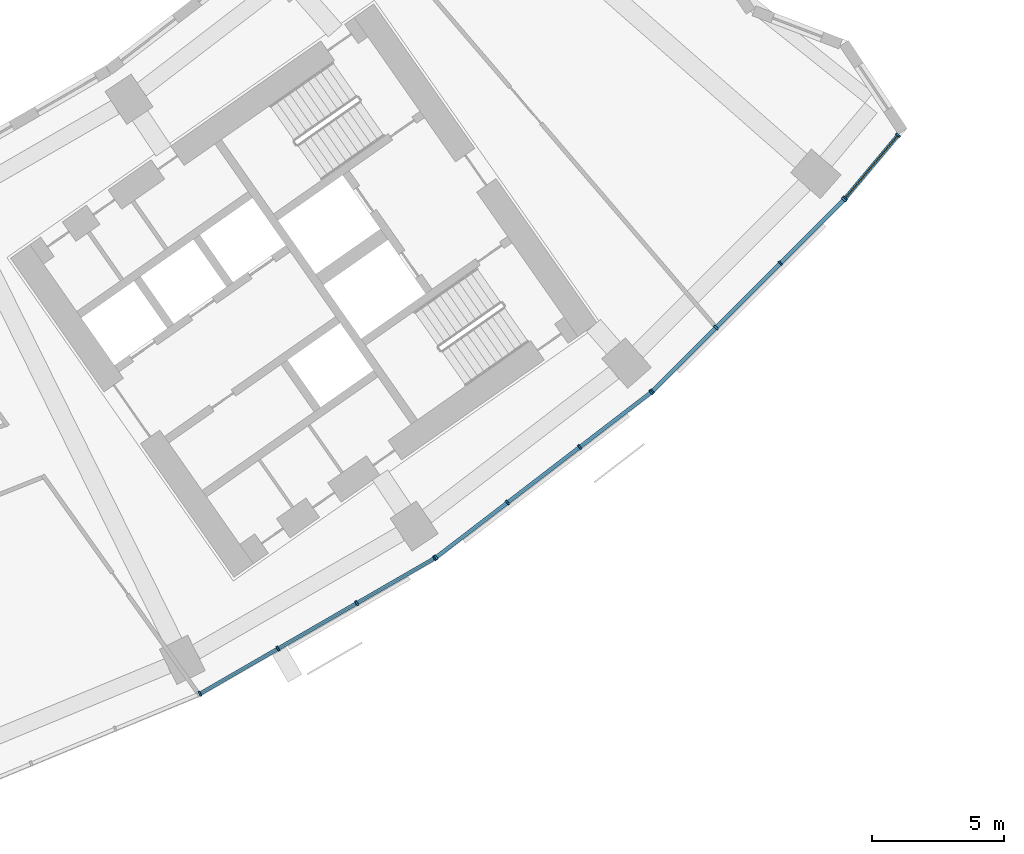
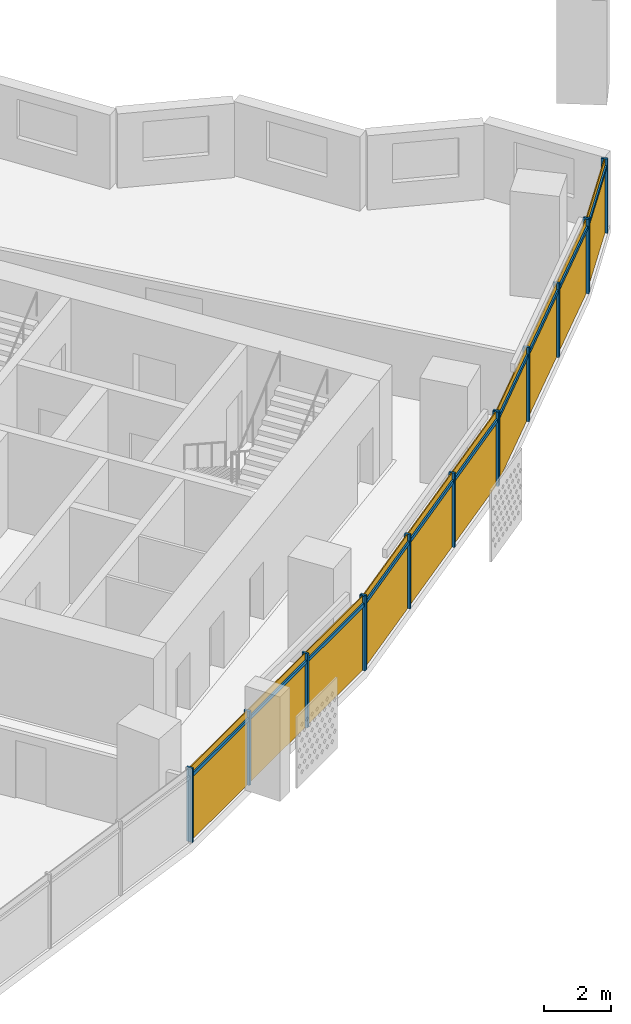
# One storey, part 22 of 29: 24 members, 4 curtain walls.
"""IFC4 building model written with IfcOpenShell, lengths in metres."""

from ifc_helpers import new_model, si_unit, direction, frame, origin, origin_2d, place, context, subcontext, project, spatial, rectangle, extrude, material, material_profile, profile_set, type_object, element, aggregate, save


model = new_model("IFC4")

# Units and contexts
model_context = context("Model", 3, precision=1e-05, world=origin(), true_north=direction((0.0, 1.0)))
body_context = subcontext(model_context, "Body", "Model", "MODEL_VIEW")
ifc_project = project(units=[si_unit("LENGTHUNIT", "METRE"), si_unit("AREAUNIT", "SQUARE_METRE"), si_unit("VOLUMEUNIT", "CUBIC_METRE"), si_unit("PLANEANGLEUNIT", "RADIAN"), si_unit("MASSUNIT", "GRAM", prefix="KILO")], contexts=[model_context])

# Member
ifc_material = material(Name="Aluminium 6063-T6 anodised", Category="aluminium")
ifc_material_profile_1 = material_profile(ifc_material, rectangle(XDim=0.199951171875, YDim=0.070068359375, at=origin_2d()))
ifc_profile_set_1 = profile_set([ifc_material_profile_1], Name="Aluminium 6063-T6 anodised")
member_type_1 = type_object("IfcMemberType", Name="Mullion 70 x 200 aluminium", PredefinedType="MULLION", material=ifc_profile_set_1)
site_placement = place(None, origin())
building_placement = place(site_placement, origin())
storey_placement = place(building_placement, frame((0.0, 0.0, 136.699951171875)))
member_1_placement = place(storey_placement, frame((35.0537109375, -71.017822265625, 0.0), z_axis=(0.0, 0.0, 1.0), x_axis=(-0.5, 0.866025403784, 0.0)))
member_1 = element("IfcMember", 1, at=member_1_placement, type_object=member_type_1, Name="e-cw1-L31-out13/M00", PredefinedType="MULLION", context=body_context, shape_type="SweptSolid", body=[
    extrude(rectangle(XDim=0.199951171875, YDim=0.070068359375, at=origin_2d()), origin(), (0.0, 0.0, 1.0), 2.699951171875),
])

member_2_placement = place(storey_placement, frame((38.017822265625, -69.306640625, 0.0), z_axis=(0.0, 0.0, 1.0), x_axis=(-0.5, 0.866025403784, 0.0)))
member_2 = element("IfcMember", 2, at=member_2_placement, type_object=member_type_1, Name="e-cw1-L31-out13/M01", PredefinedType="MULLION", context=body_context, shape_type="SweptSolid", body=[
    extrude(rectangle(XDim=0.199951171875, YDim=0.070068359375, at=origin_2d()), origin(), (0.0, 0.0, 1.0), 2.699951171875),
])

member_3_placement = place(storey_placement, frame((41.01220703125, -67.577880859375, 0.0), z_axis=(0.0, 0.0, 1.0), x_axis=(-0.5, 0.866025403784, 0.0)))
member_3 = element("IfcMember", 3, at=member_3_placement, type_object=member_type_1, Name="e-cw1-L31-out13/M02", PredefinedType="MULLION", context=body_context, shape_type="SweptSolid", body=[
    extrude(rectangle(XDim=0.199951171875, YDim=0.070068359375, at=origin_2d()), origin(), (0.0, 0.0, 1.0), 2.699951171875),
])

member_4_placement = place(storey_placement, frame((43.976318359375, -65.866455078125, 0.0), z_axis=(0.0, 0.0, 1.0), x_axis=(-0.5, 0.866025403784, 0.0)))
member_4 = element("IfcMember", 4, at=member_4_placement, type_object=member_type_1, Name="e-cw1-L31-out13/M03", PredefinedType="MULLION", context=body_context, shape_type="SweptSolid", body=[
    extrude(rectangle(XDim=0.199951171875, YDim=0.070068359375, at=origin_2d()), origin(), (0.0, 0.0, 1.0), 2.699951171875),
])

member_5_placement = place(storey_placement, frame((44.023681640625, -65.8349609375, 0.0), z_axis=(0.0, 0.0, 1.0), x_axis=(-0.608761429009, 0.793353340291, 0.0)))
member_5 = element("IfcMember", 5, at=member_5_placement, type_object=member_type_1, Name="e-cw1-L31-out14/M00", PredefinedType="MULLION", context=body_context, shape_type="SweptSolid", body=[
    extrude(rectangle(XDim=0.199951171875, YDim=0.070068359375, at=origin_2d()), origin(), (0.0, 0.0, 1.0), 2.699951171875),
])

member_6_placement = place(storey_placement, frame((46.739013671875, -63.751220703125, 0.0), z_axis=(0.0, 0.0, 1.0), x_axis=(-0.608761429009, 0.793353340291, 0.0)))
member_6 = element("IfcMember", 6, at=member_6_placement, type_object=member_type_1, Name="e-cw1-L31-out14/M01", PredefinedType="MULLION", context=body_context, shape_type="SweptSolid", body=[
    extrude(rectangle(XDim=0.199951171875, YDim=0.070068359375, at=origin_2d()), origin(), (0.0, 0.0, 1.0), 2.699951171875),
])

member_7_placement = place(storey_placement, frame((49.482177734375, -61.646484375, 0.0), z_axis=(0.0, 0.0, 1.0), x_axis=(-0.608761429009, 0.793353340291, 0.0)))
member_7 = element("IfcMember", 7, at=member_7_placement, type_object=member_type_1, Name="e-cw1-L31-out14/M02", PredefinedType="MULLION", context=body_context, shape_type="SweptSolid", body=[
    extrude(rectangle(XDim=0.199951171875, YDim=0.070068359375, at=origin_2d()), origin(), (0.0, 0.0, 1.0), 2.699951171875),
])

member_8_placement = place(storey_placement, frame((52.197509765625, -59.56298828125, 0.0), z_axis=(0.0, 0.0, 1.0), x_axis=(-0.608761429009, 0.793353340291, 0.0)))
member_8 = element("IfcMember", 8, at=member_8_placement, type_object=member_type_1, Name="e-cw1-L31-out14/M03", PredefinedType="MULLION", context=body_context, shape_type="SweptSolid", body=[
    extrude(rectangle(XDim=0.199951171875, YDim=0.070068359375, at=origin_2d()), origin(), (0.0, 0.0, 1.0), 2.699951171875),
])

member_9_placement = place(storey_placement, frame((52.240234375, -59.525390625, 0.0), z_axis=(0.0, 0.0, 1.0), x_axis=(-0.707106781187, 0.707106781187, 0.0)))
member_9 = element("IfcMember", 9, at=member_9_placement, type_object=member_type_1, Name="e-cw1-L31-out15/M00", PredefinedType="MULLION", context=body_context, shape_type="SweptSolid", body=[
    extrude(rectangle(XDim=0.199951171875, YDim=0.070068359375, at=origin_2d()), origin(), (0.0, 0.0, 1.0), 2.699951171875),
])

member_10_placement = place(storey_placement, frame((54.660400390625, -57.105224609375, 0.0), z_axis=(0.0, 0.0, 1.0), x_axis=(-0.707106781187, 0.707106781187, 0.0)))
member_10 = element("IfcMember", 10, at=member_10_placement, type_object=member_type_1, Name="e-cw1-L31-out15/M01", PredefinedType="MULLION", context=body_context, shape_type="SweptSolid", body=[
    extrude(rectangle(XDim=0.199951171875, YDim=0.070068359375, at=origin_2d()), origin(), (0.0, 0.0, 1.0), 2.699951171875),
])

member_11_placement = place(storey_placement, frame((57.105224609375, -54.660400390625, 0.0), z_axis=(0.0, 0.0, 1.0), x_axis=(-0.707106781187, 0.707106781187, 0.0)))
member_11 = element("IfcMember", 11, at=member_11_placement, type_object=member_type_1, Name="e-cw1-L31-out15/M02", PredefinedType="MULLION", context=body_context, shape_type="SweptSolid", body=[
    extrude(rectangle(XDim=0.199951171875, YDim=0.070068359375, at=origin_2d()), origin(), (0.0, 0.0, 1.0), 2.699951171875),
])

member_12_placement = place(storey_placement, frame((59.525390625, -52.240234375, 0.0), z_axis=(0.0, 0.0, 1.0), x_axis=(-0.707106781187, 0.707106781187, 0.0)))
member_12 = element("IfcMember", 12, at=member_12_placement, type_object=member_type_1, Name="e-cw1-L31-out15/M03", PredefinedType="MULLION", context=body_context, shape_type="SweptSolid", body=[
    extrude(rectangle(XDim=0.199951171875, YDim=0.070068359375, at=origin_2d()), origin(), (0.0, 0.0, 1.0), 2.699951171875),
])

member_13_placement = place(storey_placement, frame((59.566650390625, -52.195068359375, 0.0), z_axis=(0.0, 0.0, 1.0), x_axis=(-0.766550537433, 0.642183987312, 0.0)))
member_13 = element("IfcMember", 13, at=member_13_placement, type_object=member_type_1, Name="e-cw1-L31-out16/M00", PredefinedType="MULLION", context=body_context, shape_type="SweptSolid", body=[
    extrude(rectangle(XDim=0.199951171875, YDim=0.070068359375, at=origin_2d()), origin(), (0.0, 0.0, 1.0), 2.699951171875),
])

member_14_placement = place(storey_placement, frame((61.57666015625, -49.7958984375, 0.0), z_axis=(0.0, 0.0, 1.0), x_axis=(-0.766550537433, 0.642183987312, 0.0)))
member_14 = element("IfcMember", 14, at=member_14_placement, type_object=member_type_1, Name="e-cw1-L31-out16/M01", PredefinedType="MULLION", context=body_context, shape_type="SweptSolid", body=[
    extrude(rectangle(XDim=0.199951171875, YDim=0.070068359375, at=origin_2d()), origin(), (0.0, 0.0, 1.0), 2.699951171875),
])

ifc_material_profile_2 = material_profile(ifc_material, rectangle(XDim=0.139892578125, YDim=0.1201171875, at=origin_2d()))
ifc_profile_set_2 = profile_set([ifc_material_profile_2], Name="Aluminium 6063-T6 anodised")
member_type_2 = type_object("IfcMemberType", Name="Transom 120 x 140 aluminium", PredefinedType="USERDEFINED", material=ifc_profile_set_2)
member_15_placement = place(storey_placement, frame((35.084228515625, -71.00048828125, 2.400146484375), z_axis=(0.865989120267, 0.50006283963, 0.0), x_axis=(-0.50006283963, 0.865989120267, 0.0)))
member_15 = element("IfcMember", 15, at=member_15_placement, type_object=member_type_2, Name="e-cw1-L31-out13/T00", ObjectType="TRANSOM", PredefinedType="USERDEFINED", context=body_context, shape_type="SweptSolid", body=[
    extrude(rectangle(XDim=0.139892578125, YDim=0.1201171875, at=origin_2d()), origin(), (0.0, 0.0, 1.0), 3.3525390625),
])

member_16_placement = place(storey_placement, frame((38.048095703125, -69.2890625, 2.400146484375), z_axis=(0.866025971257, 0.499999017107, 0.0), x_axis=(-0.499999017107, 0.866025971257, 0.0)))
member_16 = element("IfcMember", 16, at=member_16_placement, type_object=member_type_2, Name="e-cw1-L31-out13/T01", ObjectType="TRANSOM", PredefinedType="USERDEFINED", context=body_context, shape_type="SweptSolid", body=[
    extrude(rectangle(XDim=0.139892578125, YDim=0.1201171875, at=origin_2d()), origin(), (0.0, 0.0, 1.0), 3.3876953125),
])

member_17_placement = place(storey_placement, frame((41.042724609375, -67.560302734375, 2.400146484375), z_axis=(0.866020654818, 0.50000822536, 0.0), x_axis=(-0.50000822536, 0.866020654818, 0.0)))
member_17 = element("IfcMember", 17, at=member_17_placement, type_object=member_type_2, Name="e-cw1-L31-out13/T02", ObjectType="TRANSOM", PredefinedType="USERDEFINED", context=body_context, shape_type="SweptSolid", body=[
    extrude(rectangle(XDim=0.139892578125, YDim=0.1201171875, at=origin_2d()), origin(), (0.0, 0.0, 1.0), 3.3525390625),
])

member_18_placement = place(storey_placement, frame((44.05126953125, -65.8134765625, 2.400146484375), z_axis=(0.793389477316, 0.608714331426, 0.0), x_axis=(-0.608714331426, 0.793389477316, 0.0)))
member_18 = element("IfcMember", 18, at=member_18_placement, type_object=member_type_2, Name="e-cw1-L31-out14/T00", ObjectType="TRANSOM", PredefinedType="USERDEFINED", context=body_context, shape_type="SweptSolid", body=[
    extrude(rectangle(XDim=0.139892578125, YDim=0.1201171875, at=origin_2d()), origin(), (0.0, 0.0, 1.0), 3.3525390625),
])

member_19_placement = place(storey_placement, frame((46.766845703125, -63.72998046875, 2.400146484375), z_axis=(0.793344133173, 0.608773427772, 0.0), x_axis=(-0.608773427772, 0.793344133173, 0.0)))
member_19 = element("IfcMember", 19, at=member_19_placement, type_object=member_type_2, Name="e-cw1-L31-out14/T01", ObjectType="TRANSOM", PredefinedType="USERDEFINED", context=body_context, shape_type="SweptSolid", body=[
    extrude(rectangle(XDim=0.139892578125, YDim=0.1201171875, at=origin_2d()), origin(), (0.0, 0.0, 1.0), 3.387451171875),
])

member_20_placement = place(storey_placement, frame((49.509765625, -61.625244140625, 2.400146484375), z_axis=(0.793354308621, 0.608760167055, 0.0), x_axis=(-0.608760167055, 0.793354308621, 0.0)))
member_20 = element("IfcMember", 20, at=member_20_placement, type_object=member_type_2, Name="e-cw1-L31-out14/T02", ObjectType="TRANSOM", PredefinedType="USERDEFINED", context=body_context, shape_type="SweptSolid", body=[
    extrude(rectangle(XDim=0.139892578125, YDim=0.1201171875, at=origin_2d()), origin(), (0.0, 0.0, 1.0), 3.352783203125),
])

member_21_placement = place(storey_placement, frame((52.264892578125, -59.500732421875, 2.400146484375), z_axis=(0.707106781187, 0.707106781187, 0.0), x_axis=(-0.707106781187, 0.707106781187, 0.0)))
member_21 = element("IfcMember", 21, at=member_21_placement, type_object=member_type_2, Name="e-cw1-L31-out15/T00", ObjectType="TRANSOM", PredefinedType="USERDEFINED", context=body_context, shape_type="SweptSolid", body=[
    extrude(rectangle(XDim=0.139892578125, YDim=0.1201171875, at=origin_2d()), origin(), (0.0, 0.0, 1.0), 3.3525390625),
])

member_22_placement = place(storey_placement, frame((54.68505859375, -57.08056640625, 2.400146484375), z_axis=(0.707106781187, 0.707106781187, 0.0), x_axis=(-0.707106781187, 0.707106781187, 0.0)))
member_22 = element("IfcMember", 22, at=member_22_placement, type_object=member_type_2, Name="e-cw1-L31-out15/T01", ObjectType="TRANSOM", PredefinedType="USERDEFINED", context=body_context, shape_type="SweptSolid", body=[
    extrude(rectangle(XDim=0.139892578125, YDim=0.1201171875, at=origin_2d()), origin(), (0.0, 0.0, 1.0), 3.3876953125),
])

member_23_placement = place(storey_placement, frame((57.130126953125, -54.635498046875, 2.400146484375), z_axis=(0.707106781187, 0.707106781187, 0.0), x_axis=(-0.707106781187, 0.707106781187, 0.0)))
member_23 = element("IfcMember", 23, at=member_23_placement, type_object=member_type_2, Name="e-cw1-L31-out15/T02", ObjectType="TRANSOM", PredefinedType="USERDEFINED", context=body_context, shape_type="SweptSolid", body=[
    extrude(rectangle(XDim=0.139892578125, YDim=0.1201171875, at=origin_2d()), origin(), (0.0, 0.0, 1.0), 3.3525390625),
])

member_24_placement = place(storey_placement, frame((59.589111328125, -52.168212890625, 2.400146484375), z_axis=(0.642214794508, 0.7665247274, 0.0), x_axis=(-0.7665247274, 0.642214794508, 0.0)))
member_24 = element("IfcMember", 24, at=member_24_placement, type_object=member_type_2, Name="e-cw1-L31-out16/T00", ObjectType="TRANSOM", PredefinedType="USERDEFINED", context=body_context, shape_type="SweptSolid", body=[
    extrude(rectangle(XDim=0.139892578125, YDim=0.1201171875, at=origin_2d()), origin(), (0.0, 0.0, 1.0), 3.059814453125),
])

# Site, building, storey
site = spatial("IfcSite", under=ifc_project, at=site_placement, CompositionType="ELEMENT")
building = spatial("IfcBuilding", under=site, at=building_placement, Name="Qamariyya Broadcast Tower", CompositionType="ELEMENT")
storey = spatial("IfcBuildingStorey", under=building, at=storey_placement, Name="L31", CompositionType="ELEMENT", Elevation=136.699951171875)

# Curtain wall
curtain_wall_type = type_object("IfcCurtainWallType", Name="Unitised curtain wall, anodised aluminium", PredefinedType="NOTDEFINED", material=ifc_material)
curtain_wall_1_placement = place(storey_placement, origin())
curtain_wall_1 = element("IfcCurtainWall", 25, at=curtain_wall_1_placement, inside=storey, type_object=curtain_wall_type, Name="e-cw1-L31-out13", PredefinedType="NOTDEFINED", context=body_context, shape_type="SweptSolid", body=[
    extrude(rectangle(XDim=3.352783203125, YDim=0.031982421875, at=origin_2d()), frame((36.535888671875, -70.162109375, 0.0), x_axis=(0.866027243369, 0.499996813733, 0.0)), (0.0, 0.0, 1.0), 2.340087890625),
    extrude(rectangle(XDim=3.352783203125, YDim=0.031982421875, at=origin_2d()), frame((36.535888671875, -70.162109375, 2.4599609375), x_axis=(0.866027243369, 0.499996813733, 0.0)), (0.0, 0.0, 1.0), 0.239990234375),
    extrude(rectangle(XDim=3.3876953125, YDim=0.031982421875, at=origin_2d()), frame((39.51513671875, -68.442138671875, 0.0), x_axis=(0.866027243369, 0.499996813733, 0.0)), (0.0, 0.0, 1.0), 2.340087890625),
    extrude(rectangle(XDim=3.3876953125, YDim=0.031982421875, at=origin_2d()), frame((39.51513671875, -68.442138671875, 2.4599609375), x_axis=(0.866027243369, 0.499996813733, 0.0)), (0.0, 0.0, 1.0), 0.239990234375),
    extrude(rectangle(XDim=3.352783203125, YDim=0.031982421875, at=origin_2d()), frame((42.494384765625, -66.72216796875, 0.0), x_axis=(0.866027243369, 0.499996813733, 0.0)), (0.0, 0.0, 1.0), 2.340087890625),
    extrude(rectangle(XDim=3.352783203125, YDim=0.031982421875, at=origin_2d()), frame((42.494384765625, -66.72216796875, 2.4599609375), x_axis=(0.866027243369, 0.499996813733, 0.0)), (0.0, 0.0, 1.0), 0.239990234375),
])

aggregate(curtain_wall_1, [member_1, member_2, member_3, member_4, member_15, member_16, member_17])

curtain_wall_2_placement = place(storey_placement, origin())
curtain_wall_2 = element("IfcCurtainWall", 26, at=curtain_wall_2_placement, inside=storey, type_object=curtain_wall_type, Name="e-cw1-L31-out14", PredefinedType="NOTDEFINED", context=body_context, shape_type="SweptSolid", body=[
    extrude(rectangle(XDim=3.352783203125, YDim=0.031982421875, at=origin_2d()), frame((45.38134765625, -64.793212890625, 0.0), x_axis=(0.793354000839, 0.608760568165, 0.0)), (0.0, 0.0, 1.0), 2.340087890625),
    extrude(rectangle(XDim=3.352783203125, YDim=0.031982421875, at=origin_2d()), frame((45.38134765625, -64.793212890625, 2.4599609375), x_axis=(0.793354000839, 0.608760568165, 0.0)), (0.0, 0.0, 1.0), 0.239990234375),
    extrude(rectangle(XDim=3.3876953125, YDim=0.031982421875, at=origin_2d()), frame((48.110595703125, -62.69873046875, 0.0), x_axis=(0.793354000839, 0.608760568165, 0.0)), (0.0, 0.0, 1.0), 2.340087890625),
    extrude(rectangle(XDim=3.3876953125, YDim=0.031982421875, at=origin_2d()), frame((48.110595703125, -62.69873046875, 2.4599609375), x_axis=(0.793354000839, 0.608760568165, 0.0)), (0.0, 0.0, 1.0), 0.239990234375),
    extrude(rectangle(XDim=3.352783203125, YDim=0.031982421875, at=origin_2d()), frame((50.83984375, -60.6044921875, 0.0), x_axis=(0.793354000839, 0.608760568165, 0.0)), (0.0, 0.0, 1.0), 2.340087890625),
    extrude(rectangle(XDim=3.352783203125, YDim=0.031982421875, at=origin_2d()), frame((50.83984375, -60.6044921875, 2.4599609375), x_axis=(0.793354000839, 0.608760568165, 0.0)), (0.0, 0.0, 1.0), 0.239990234375),
])

aggregate(curtain_wall_2, [member_5, member_6, member_7, member_8, member_18, member_19, member_20])

curtain_wall_3_placement = place(storey_placement, origin())
curtain_wall_3 = element("IfcCurtainWall", 27, at=curtain_wall_3_placement, inside=storey, type_object=curtain_wall_type, Name="e-cw1-L31-out15", PredefinedType="NOTDEFINED", context=body_context, shape_type="SweptSolid", body=[
    extrude(rectangle(XDim=3.352783203125, YDim=0.031982421875, at=origin_2d()), frame((53.4501953125, -58.3154296875, 0.0), x_axis=(0.707106781187, 0.707106781187, 0.0)), (0.0, 0.0, 1.0), 2.340087890625),
    extrude(rectangle(XDim=3.352783203125, YDim=0.031982421875, at=origin_2d()), frame((53.4501953125, -58.3154296875, 2.4599609375), x_axis=(0.707106781187, 0.707106781187, 0.0)), (0.0, 0.0, 1.0), 0.239990234375),
    extrude(rectangle(XDim=3.3876953125, YDim=0.031982421875, at=origin_2d()), frame((55.8828125, -55.8828125, 0.0), x_axis=(0.707106781187, 0.707106781187, 0.0)), (0.0, 0.0, 1.0), 2.340087890625),
    extrude(rectangle(XDim=3.3876953125, YDim=0.031982421875, at=origin_2d()), frame((55.8828125, -55.8828125, 2.4599609375), x_axis=(0.707106781187, 0.707106781187, 0.0)), (0.0, 0.0, 1.0), 0.239990234375),
    extrude(rectangle(XDim=3.352783203125, YDim=0.031982421875, at=origin_2d()), frame((58.3154296875, -53.4501953125, 0.0), x_axis=(0.707106781187, 0.707106781187, 0.0)), (0.0, 0.0, 1.0), 2.340087890625),
    extrude(rectangle(XDim=3.352783203125, YDim=0.031982421875, at=origin_2d()), frame((58.3154296875, -53.4501953125, 2.4599609375), x_axis=(0.707106781187, 0.707106781187, 0.0)), (0.0, 0.0, 1.0), 0.239990234375),
])

aggregate(curtain_wall_3, [member_9, member_10, member_11, member_12, member_21, member_22, member_23])

curtain_wall_4_placement = place(storey_placement, origin())
curtain_wall_4 = element("IfcCurtainWall", 28, at=curtain_wall_4_placement, inside=storey, type_object=curtain_wall_type, Name="e-cw1-L31-out16", PredefinedType="NOTDEFINED", context=body_context, shape_type="SweptSolid", body=[
    extrude(rectangle(XDim=3.059814453125, YDim=0.031982421875, at=origin_2d()), frame((60.57177734375, -50.99560546875, 0.0), x_axis=(0.642185937962, 0.766548903256, 0.0)), (0.0, 0.0, 1.0), 2.340087890625),
    extrude(rectangle(XDim=3.059814453125, YDim=0.031982421875, at=origin_2d()), frame((60.57177734375, -50.99560546875, 2.4599609375), x_axis=(0.642185937962, 0.766548903256, 0.0)), (0.0, 0.0, 1.0), 0.239990234375),
])

aggregate(curtain_wall_4, [member_13, member_14, member_24])

save(model, "model.ifc")
